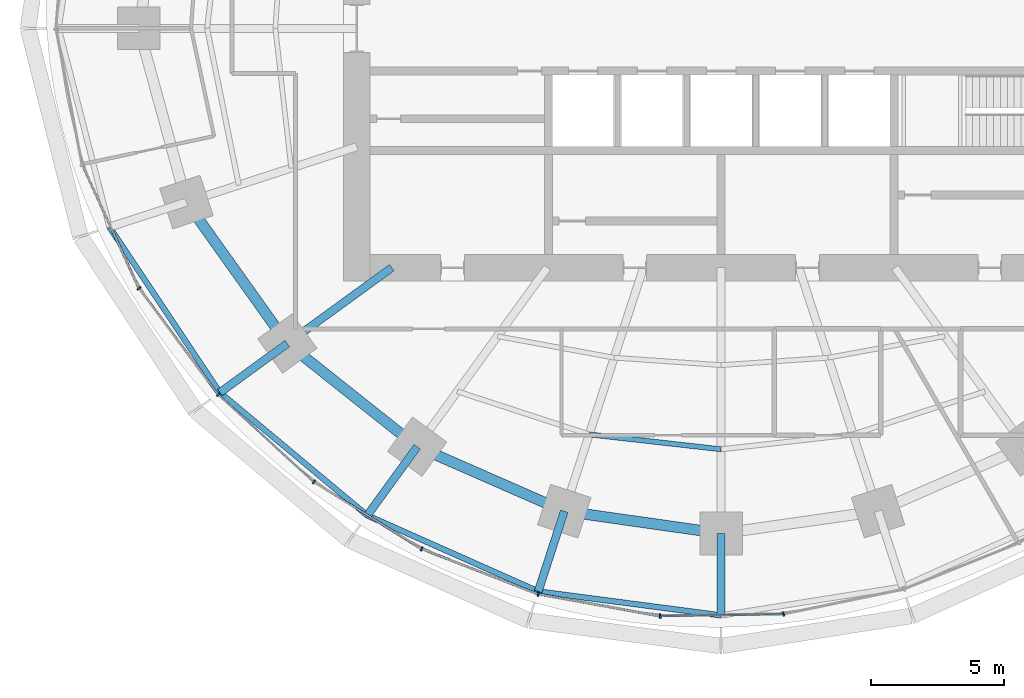
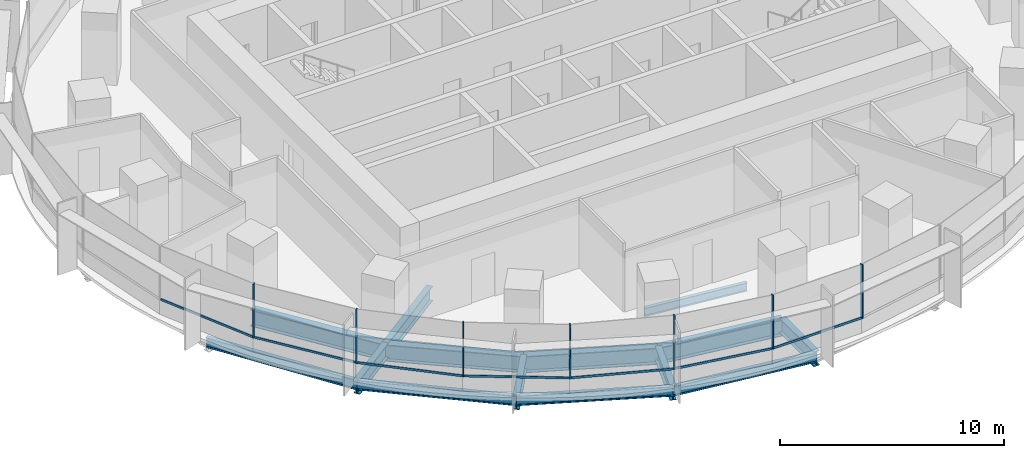
# One storey, part 2 of 14: 14 beams, 14 members, 2 elements without a shape of their own.
"""IFC4 building model written with IfcOpenShell, lengths in metres."""

import ifcopenshell
import ifcopenshell.guid

model = None  # the IFC model being written
_history = None  # IfcOwnerHistory: only IFC2X3 demands one
_inside = {}  # id of a spatial element -> (the spatial element, [elements in it])
_under = {}  # id of a project, library or spatial element -> (it, [spatial elements below it])
_declared = {}  # id of a project -> (the project, [libraries it declares])
_typed = {}  # id of a type object -> (the type object, [elements of that type])
_made_of = {}  # id of a material, layer set ... -> (it, [elements and type objects made of it])


def new_model(schema):
    """Start an empty IFC model of exactly this schema.

    Asked for "IFC4X3", IfcOpenShell would pick the latest addendum, in which some entities
    have other attributes; the version numbers below select the first issue.
    IFC2X3 requires an IfcOwnerHistory on every rooted entity: one is made here for all.
    """
    global model, _history
    if schema == "IFC4X3":
        model = ifcopenshell.file(schema_version=(4, 3, 0, 0))
    else:
        model = ifcopenshell.file(schema=schema)
    _inside.clear()
    _under.clear()
    _declared.clear()
    _typed.clear()
    _made_of.clear()
    _history = None
    if model.schema == "IFC2X3":
        org = make("IfcOrganization", Name="unknown")
        user = make(
            "IfcPersonAndOrganization",
            ThePerson=make("IfcPerson", FamilyName="unknown"),
            TheOrganization=org,
        )
        app = make(
            "IfcApplication",
            ApplicationDeveloper=org,
            Version="unknown",
            ApplicationFullName="unknown",
            ApplicationIdentifier="unknown",
        )
        _history = make(
            "IfcOwnerHistory",
            OwningUser=user,
            OwningApplication=app,
            ChangeAction="ADDED",
            CreationDate=0,
        )
    return model


def make(cls, **values):
    """One entity of the class cls with the attributes given. An attribute that is None is left unset."""
    return model.create_entity(
        cls, **{name: value for name, value in values.items() if value is not None}
    )


def rooted(cls, **values):
    """An entity with a GlobalId (a new one), such as an element, a storey or a relation."""
    return make(cls, GlobalId=ifcopenshell.guid.new(), OwnerHistory=_history, **values)


def si_unit(unit_type, name, prefix=None):
    """IfcSIUnit, for example si_unit("LENGTHUNIT", "METRE", prefix="MILLI")."""
    return make("IfcSIUnit", UnitType=unit_type, Prefix=prefix, Name=name)


def assignment(units):
    """IfcUnitAssignment: the units of a project."""
    return None if units is None else make("IfcUnitAssignment", Units=units)


def point(xyz):
    """IfcCartesianPoint."""
    return None if xyz is None else make("IfcCartesianPoint", Coordinates=xyz)


def direction(xyz):
    """IfcDirection."""
    return None if xyz is None else make("IfcDirection", DirectionRatios=xyz)


def frame(location, z_axis=None, x_axis=None):
    """IfcAxis2Placement3D, a coordinate frame: its origin and axes. An axis left out is left unset."""
    return make(
        "IfcAxis2Placement3D",
        Location=point(location),
        Axis=direction(z_axis),
        RefDirection=direction(x_axis),
    )


def frame_2d(location, x_axis=None):
    """IfcAxis2Placement2D, a coordinate frame in the plane: its origin and x axis."""
    return make(
        "IfcAxis2Placement2D", Location=point(location), RefDirection=direction(x_axis)
    )


def origin():
    """The frame at (0, 0, 0) with its axes left unset."""
    return frame((0.0, 0.0, 0.0))


def origin_2d():
    """The frame at (0, 0) in the plane with its x axis left unset."""
    return frame_2d((0.0, 0.0))


def place(relative_to, where):
    """IfcLocalPlacement: puts the frame where relative to a parent placement (None: the world)."""
    return make(
        "IfcLocalPlacement", PlacementRelTo=relative_to, RelativePlacement=where
    )


def context(
    kind, dimensions, precision=None, world=None, true_north=None, identifier=None
):
    """IfcGeometricRepresentationContext, for example the 3D "Model" context."""
    return make(
        "IfcGeometricRepresentationContext",
        ContextIdentifier=identifier,
        ContextType=kind,
        CoordinateSpaceDimension=dimensions,
        Precision=precision,
        WorldCoordinateSystem=world,
        TrueNorth=true_north,
    )


def subcontext(parent, identifier, kind, view, scale=None):
    """IfcGeometricRepresentationSubContext, for example "Body" below "Model"."""
    return make(
        "IfcGeometricRepresentationSubContext",
        ContextIdentifier=identifier,
        ContextType=kind,
        ParentContext=parent,
        TargetScale=scale,
        TargetView=view,
    )


def project(units=None, contexts=None):
    """IfcProject with its units and contexts."""
    return rooted(
        "IfcProject",
        Name="project",
        RepresentationContexts=contexts,
        UnitsInContext=assignment(units),
    )


def spatial(cls, under=None, at=None, **own):
    """A site, building, storey or space (cls), placed at a placement, below another one or the project."""
    s = rooted(cls, ObjectPlacement=at, **own)
    if under is not None:
        _under.setdefault(under.id(), (under, []))[1].append(s)
    return s


def profile(cls, at=None, kind="AREA", **sizes):
    """A parametric profile (cls). Its sizes go by their IFC names, for example OverallWidth=200.0."""
    return make(cls, ProfileType=kind, Position=at, **sizes)


def rectangle(**sizes):
    """IfcRectangleProfileDef."""
    return profile("IfcRectangleProfileDef", **sizes)


def i_section(**sizes):
    """IfcIShapeProfileDef."""
    return profile("IfcIShapeProfileDef", **sizes)


def extrude(swept, where, along, depth):
    """IfcExtrudedAreaSolid: the profile swept, set in the frame where, extruded along a direction by depth."""
    return make(
        "IfcExtrudedAreaSolid",
        SweptArea=swept,
        Position=where,
        ExtrudedDirection=direction(along),
        Depth=depth,
    )


def shape(context_of_items, identifier, shape_type, items):
    """IfcShapeRepresentation: the items that make up one representation, for example the "Body"."""
    return make(
        "IfcShapeRepresentation",
        ContextOfItems=context_of_items,
        RepresentationIdentifier=identifier,
        RepresentationType=shape_type,
        Items=items,
    )


def material(Name=None, Category=None):
    """IfcMaterial."""
    return make("IfcMaterial", Name=Name, Category=Category)


def material_profile(
    of_material, cross_section, Name=None, Category=None, Priority=None
):
    """IfcMaterialProfile: a cross section and its material."""
    return make(
        "IfcMaterialProfile",
        Name=Name,
        Material=of_material,
        Profile=cross_section,
        Priority=Priority,
        Category=Category,
    )


def profile_set(profiles, Name=None, composite=None):
    """IfcMaterialProfileSet."""
    return make(
        "IfcMaterialProfileSet",
        Name=Name,
        MaterialProfiles=profiles,
        CompositeProfile=composite,
    )


def made_of(thing, what):
    """Note that an element or type object is made of a material, layer set ...; save() writes the relation."""
    if what is not None:
        _made_of.setdefault(what.id(), (what, []))[1].append(thing)
    return thing


def type_object(cls, material=None, **own):
    """A type object (cls), such as IfcWallType, which elements share."""
    return made_of(rooted(cls, **own), material)


def element(
    cls,
    number,
    at=None,
    inside=None,
    cuts=None,
    type_object=None,
    material=None,
    context=None,
    identifier="Body",
    shape_type=None,
    held_by="IfcProductDefinitionShape",
    body=None,
    shapes=None,
    **own,
):
    """One element of the class cls, such as IfcWall. Its Tag is "e" and its number.

    at: its placement. inside: the storey or other place that contains it. cuts: it is an
    opening in that element (IfcRelVoidsElement). A single representation is given by context,
    identifier, shape_type and body (its items); several are given by shapes. held_by: the class
    of the entity that holds the representations. save() writes the other relations.
    """
    e = rooted(cls, Tag="e%d" % number, ObjectPlacement=at, **own)
    if body is not None:
        shapes = [shape(context, identifier, shape_type, body)]
    if shapes is not None:
        e.Representation = make(held_by, Representations=shapes)
    if inside is not None:
        _inside.setdefault(inside.id(), (inside, []))[1].append(e)
    if cuts is not None:
        rooted(
            "IfcRelVoidsElement", RelatingBuildingElement=cuts, RelatedOpeningElement=e
        )
    if type_object is not None:
        _typed.setdefault(type_object.id(), (type_object, []))[1].append(e)
    return made_of(e, material)


def aggregate(whole, parts):
    """IfcRelAggregates: a whole, such as a stair, and the parts it consists of."""
    return rooted("IfcRelAggregates", RelatingObject=whole, RelatedObjects=parts)


def save(model, path):
    """Write the relations noted so far, then the file.

    IfcRelAggregates (storeys below a building ...), IfcRelContainedInSpatialStructure (elements
    in a storey), IfcRelDefinesByType, IfcRelAssociatesMaterial and IfcRelDeclares: one each for
    every whole, place, type object, material and project.
    """
    for whole, parts in _under.values():
        aggregate(whole, parts)
    for where, things in _inside.values():
        rooted(
            "IfcRelContainedInSpatialStructure",
            RelatedElements=things,
            RelatingStructure=where,
        )
    for kind, things in _typed.values():
        rooted("IfcRelDefinesByType", RelatedObjects=things, RelatingType=kind)
    for what, things in _made_of.values():
        rooted("IfcRelAssociatesMaterial", RelatedObjects=things, RelatingMaterial=what)
    for by, libraries in _declared.values():
        rooted("IfcRelDeclares", RelatingContext=by, RelatedDefinitions=libraries)
    model.write(path)


model = new_model("IFC4")

# Units and contexts
model_context = context("Model", 3, precision=1e-05, world=origin(), true_north=direction((0.0, 1.0)))
body_context = subcontext(model_context, "Body", "Model", "MODEL_VIEW")
ifc_project = project(units=[si_unit("LENGTHUNIT", "METRE"), si_unit("AREAUNIT", "SQUARE_METRE"), si_unit("VOLUMEUNIT", "CUBIC_METRE"), si_unit("PLANEANGLEUNIT", "RADIAN"), si_unit("MASSUNIT", "GRAM", prefix="KILO")], contexts=[model_context])

# Site, building, storey
site_placement = place(None, origin())
site = spatial("IfcSite", under=ifc_project, at=site_placement, CompositionType="ELEMENT")
building_placement = place(site_placement, origin())
building = spatial("IfcBuilding", under=site, at=building_placement, Name="Marramba Exchange Tower", CompositionType="ELEMENT")
storey_placement = place(building_placement, frame((0.0, 0.0, 147.0)))
storey = spatial("IfcBuildingStorey", under=building, at=storey_placement, Name="L35", CompositionType="ELEMENT", Elevation=147.0)

# Beams
ifc_material_1 = material(Name="Steel AS/NZS 3679.2 grade 300", Category="steel")
ifc_material_profile_1 = material_profile(ifc_material_1, i_section(OverallWidth=0.300048828125, OverallDepth=0.800048828125, WebThickness=0.013916015625, FlangeThickness=0.031982421875, at=origin_2d()), Name="800WB192")
ifc_profile_set_1 = profile_set([ifc_material_profile_1], Name="Steel AS/NZS 3679.2 grade 300")
beam_type_1 = type_object("IfcBeamType", Name="Cantilever girder 800WB192", PredefinedType="BEAM", material=ifc_profile_set_1)
beam_1_placement = place(storey_placement, frame((-16.3154296875, -11.853759765625, -0.56005859375), z_axis=(-0.809025813822, -0.587773113173, 0.0), x_axis=(0.587773113173, -0.809025813822, 0.0)))
element("IfcBeam", 1, at=beam_1_placement, inside=storey, type_object=beam_type_1, Name="Cantilever girder L35 TC13", PredefinedType="BEAM", context=body_context, shape_type="SweptSolid", body=[
    extrude(i_section(OverallWidth=0.300048828125, OverallDepth=0.800048828125, WebThickness=0.013916015625, FlangeThickness=0.031982421875, at=origin_2d()), origin(), (0.0, 0.0, 1.0), 3.132568359375),
])
beam_2_placement = place(storey_placement, frame((-11.430419921875, -15.732666015625, -0.56005859375), z_axis=(-0.587767308424, -0.809030031054, 0.0), x_axis=(0.809030031054, -0.587767308424, 0.0)))
element("IfcBeam", 2, at=beam_2_placement, inside=storey, type_object=beam_type_1, Name="Cantilever girder L35 TC14", PredefinedType="BEAM", context=body_context, shape_type="SweptSolid", body=[
    extrude(i_section(OverallWidth=0.300048828125, OverallDepth=0.800048828125, WebThickness=0.013916015625, FlangeThickness=0.031982421875, at=origin_2d()), origin(), (0.0, 0.0, 1.0), 3.195556640625),
])
beam_3_placement = place(storey_placement, frame((-5.899658203125, -18.156982421875, -0.56005859375), z_axis=(-0.309018232614, -0.951056113966, 0.0), x_axis=(0.951056113966, -0.309018232614, 0.0)))
element("IfcBeam", 3, at=beam_3_placement, inside=storey, type_object=beam_type_1, Name="Cantilever girder L35 TC15", PredefinedType="BEAM", context=body_context, shape_type="SweptSolid", body=[
    extrude(i_section(OverallWidth=0.300048828125, OverallDepth=0.800048828125, WebThickness=0.013916015625, FlangeThickness=0.031982421875, at=origin_2d()), origin(), (0.0, 0.0, 1.0), 3.173583984375),
])
beam_4_placement = place(storey_placement, frame((0.0, -18.99609375, -0.56005859375), z_axis=(0.0, -1.0, 0.0), x_axis=(1.0, 0.0, 0.0)))
element("IfcBeam", 4, at=beam_4_placement, inside=storey, type_object=beam_type_1, Name="Cantilever girder L35 TC16", PredefinedType="BEAM", context=body_context, shape_type="SweptSolid", body=[
    extrude(i_section(OverallWidth=0.300048828125, OverallDepth=0.800048828125, WebThickness=0.013916015625, FlangeThickness=0.031982421875, at=origin_2d()), origin(), (0.0, 0.0, 1.0), 3.080810546875),
])
ifc_material_2 = material(Name="Steel AS/NZS 3679.1 grade 300", Category="steel")
ifc_material_profile_2 = material_profile(ifc_material_2, i_section(OverallWidth=0.18994140625, OverallDepth=0.4541015625, WebThickness=0.008544921875, FlangeThickness=0.0126953125, FilletRadius=0.011474609375, at=origin_2d()), Name="460UB67.1")
ifc_profile_set_2 = profile_set([ifc_material_profile_2], Name="Steel AS/NZS 3679.1 grade 300")
beam_type_2 = type_object("IfcBeamType", Name="Floor joist 460UB67.1", PredefinedType="JOIST", material=ifc_profile_set_2)
beam_5_placement = place(storey_placement, frame((-4.9619140625, -15.271484375, -0.386962890625), z_axis=(0.993712018573, -0.111966174106, 0.0), x_axis=(0.111966174106, 0.993712018573, 0.0)))
element("IfcBeam", 5, at=beam_5_placement, inside=storey, type_object=beam_type_2, Name="Joist L35 bay 15 row 2", PredefinedType="JOIST", context=body_context, shape_type="SweptSolid", body=[
    extrude(i_section(OverallWidth=0.18994140625, OverallDepth=0.4541015625, WebThickness=0.008544921875, FlangeThickness=0.0126953125, FilletRadius=0.011474609375, at=origin_2d()), origin(), (0.0, 0.0, 1.0), 4.993408203125),
])

# Curtain wall, members
ifc_material_3 = material(Name="Aluminium framing, bronze anodised", Category="aluminium")
curtain_wall_type = type_object("IfcCurtainWallType", Name="Office ribbon curtain wall", PredefinedType="USERDEFINED", material=ifc_material_3)
curtain_wall_1_placement = place(storey_placement, origin())
curtain_wall_1 = element("IfcCurtainWall", 6, at=curtain_wall_1_placement, inside=storey, type_object=curtain_wall_type, Name="Curtain wall CW4 L35 F16-F20", ObjectType="RIBBON CURTAIN WALL", PredefinedType="USERDEFINED")
ifc_material_4 = material(Name="Aluminium mullion, bronze anodised", Category="aluminium")
ifc_material_profile_3 = material_profile(ifc_material_4, rectangle(XDim=0.159912109375, YDim=0.06005859375, at=origin_2d()), Name="CW4 mullion 60x160")
ifc_profile_set_3 = profile_set([ifc_material_profile_3], Name="Aluminium mullion, bronze anodised")
member_type_1 = type_object("IfcMemberType", Name="Office ribbon curtain wall mullion", PredefinedType="MULLION", material=ifc_profile_set_3)
member_1_placement = place(storey_placement, frame((-21.891357421875, -9.778564453125, 0.800048828125), z_axis=(0.0, 0.0, 1.0), x_axis=(0.802014400683, 0.597304697033, 0.0)))
member_1 = element("IfcMember", 7, at=member_1_placement, type_object=member_type_1, Name="CW4 mullion 1", PredefinedType="MULLION", context=body_context, shape_type="SweptSolid", body=[
    extrude(rectangle(XDim=0.159912109375, YDim=0.06005859375, at=origin_2d()), origin(), (0.0, 0.0, 1.0), 2.93994140625),
])
member_2_placement = place(storey_placement, frame((-18.90869140625, -13.774169921875, 0.800048828125), z_axis=(0.0, 0.0, 1.0), x_axis=(0.674995455115, 0.737821886077, 0.0)))
member_2 = element("IfcMember", 8, at=member_2_placement, type_object=member_type_1, Name="CW4 mullion 1", PredefinedType="MULLION", context=body_context, shape_type="SweptSolid", body=[
    extrude(rectangle(XDim=0.159912109375, YDim=0.06005859375, at=origin_2d()), origin(), (0.0, 0.0, 1.0), 2.93994140625),
])
member_3_placement = place(storey_placement, frame((-15.315673828125, -17.053955078125, 0.800048828125), z_axis=(0.0, 0.0, 1.0), x_axis=(0.52942844364, 0.84835459748, 0.0)))
member_3 = element("IfcMember", 9, at=member_3_placement, type_object=member_type_1, Name="CW4 mullion 1", PredefinedType="MULLION", context=body_context, shape_type="SweptSolid", body=[
    extrude(rectangle(XDim=0.159912109375, YDim=0.06005859375, at=origin_2d()), origin(), (0.0, 0.0, 1.0), 2.93994140625),
])

curtain_wall_2_placement = place(storey_placement, origin())
curtain_wall_2 = element("IfcCurtainWall", 10, at=curtain_wall_2_placement, inside=storey, type_object=curtain_wall_type, Name="Curtain wall CW4 L35 F21-F25", ObjectType="RIBBON CURTAIN WALL", PredefinedType="USERDEFINED")
member_4_placement = place(storey_placement, frame((-11.266845703125, -19.573974609375, 0.800048828125), z_axis=(0.0, 0.0, 1.0), x_axis=(0.36292490603, 0.931818390344, 0.0)))
member_4 = element("IfcMember", 11, at=member_4_placement, type_object=member_type_1, Name="CW4 mullion 1", PredefinedType="MULLION", context=body_context, shape_type="SweptSolid", body=[
    extrude(rectangle(XDim=0.159912109375, YDim=0.06005859375, at=origin_2d()), origin(), (0.0, 0.0, 1.0), 2.93994140625),
])
member_5_placement = place(storey_placement, frame((-6.881591796875, -21.27587890625, 0.800048828125), z_axis=(0.0, 0.0, 1.0), x_axis=(0.177992379115, 0.984031865834, 0.0)))
member_5 = element("IfcMember", 12, at=member_5_placement, type_object=member_type_1, Name="CW4 mullion 1", PredefinedType="MULLION", context=body_context, shape_type="SweptSolid", body=[
    extrude(rectangle(XDim=0.159912109375, YDim=0.06005859375, at=origin_2d()), origin(), (0.0, 0.0, 1.0), 2.93994140625),
])
member_6_placement = place(storey_placement, frame((-2.292724609375, -22.099853515625, 0.800048828125), z_axis=(0.0, 0.0, 1.0), x_axis=(-0.015178646521, 0.999884797709, 0.0)))
member_6 = element("IfcMember", 13, at=member_6_placement, type_object=member_type_1, Name="CW4 mullion 1", PredefinedType="MULLION", context=body_context, shape_type="SweptSolid", body=[
    extrude(rectangle(XDim=0.159912109375, YDim=0.06005859375, at=origin_2d()), origin(), (0.0, 0.0, 1.0), 2.93994140625),
])
member_7_placement = place(storey_placement, frame((2.3447265625, -22.02392578125, 0.800048828125), z_axis=(0.0, 0.0, 1.0), x_axis=(-0.202364850159, 0.979310199794, 0.0)))
member_7 = element("IfcMember", 14, at=member_7_placement, type_object=member_type_1, Name="CW4 mullion 1", PredefinedType="MULLION", context=body_context, shape_type="SweptSolid", body=[
    extrude(rectangle(XDim=0.159912109375, YDim=0.06005859375, at=origin_2d()), origin(), (0.0, 0.0, 1.0), 2.93994140625),
])

# Member
ifc_material_5 = material(Name="Aluminium transom, bronze anodised", Category="aluminium")
ifc_material_profile_4 = material_profile(ifc_material_5, rectangle(XDim=0.06005859375, YDim=0.1201171875, at=origin_2d()), Name="CW4 transom 60x120")
ifc_profile_set_4 = profile_set([ifc_material_profile_4], Name="Aluminium transom, bronze anodised")
member_type_2 = type_object("IfcMemberType", Name="Office ribbon curtain wall transom", PredefinedType="USERDEFINED", material=ifc_profile_set_4)
member_8_placement = place(storey_placement, frame((-24.013671875, -5.1640625, 0.830078125), z_axis=(0.416732948599, -0.909028959688, 0.0), x_axis=(0.909028959688, 0.416732948599, 0.0)))
member_8 = element("IfcMember", 15, at=member_8_placement, type_object=member_type_2, Name="CW4 sill transom", ObjectType="TRANSOM", PredefinedType="USERDEFINED", context=body_context, shape_type="SweptSolid", body=[
    extrude(rectangle(XDim=0.06005859375, YDim=0.1201171875, at=origin_2d()), origin(), (0.0, 0.0, 1.0), 5.050048828125),
])

member_9_placement = place(storey_placement, frame((-21.873291015625, -9.802734375, 0.830078125), z_axis=(0.597300736643, -0.80201735019, 0.0), x_axis=(0.80201735019, 0.597300736643, 0.0)))
member_9 = element("IfcMember", 16, at=member_9_placement, type_object=member_type_2, Name="CW4 sill transom", ObjectType="TRANSOM", PredefinedType="USERDEFINED", context=body_context, shape_type="SweptSolid", body=[
    extrude(rectangle(XDim=0.06005859375, YDim=0.1201171875, at=origin_2d()), origin(), (0.0, 0.0, 1.0), 4.926513671875),
])

member_10_placement = place(storey_placement, frame((-18.886474609375, -13.79443359375, 0.830078125), z_axis=(0.737807565469, -0.675011108306, 0.0), x_axis=(0.675011108306, 0.737807565469, 0.0)))
member_10 = element("IfcMember", 17, at=member_10_placement, type_object=member_type_2, Name="CW4 sill transom", ObjectType="TRANSOM", PredefinedType="USERDEFINED", context=body_context, shape_type="SweptSolid", body=[
    extrude(rectangle(XDim=0.06005859375, YDim=0.1201171875, at=origin_2d()), origin(), (0.0, 0.0, 1.0), 4.805419921875),
])

member_11_placement = place(storey_placement, frame((-15.2900390625, -17.06982421875, 0.830078125), z_axis=(0.848373790728, -0.529397687193, 0.0), x_axis=(0.529397687193, 0.848373790728, 0.0)))
member_11 = element("IfcMember", 18, at=member_11_placement, type_object=member_type_2, Name="CW4 sill transom", ObjectType="TRANSOM", PredefinedType="USERDEFINED", context=body_context, shape_type="SweptSolid", body=[
    extrude(rectangle(XDim=0.06005859375, YDim=0.1201171875, at=origin_2d()), origin(), (0.0, 0.0, 1.0), 4.70947265625),
])

aggregate(curtain_wall_1, [member_8, member_1, member_9, member_2, member_10, member_3, member_11])

member_12_placement = place(storey_placement, frame((-11.23876953125, -19.5849609375, 0.830078125), z_axis=(0.931817106708, -0.362928201778, 0.0), x_axis=(0.362928201778, 0.931817106708, 0.0)))
member_12 = element("IfcMember", 19, at=member_12_placement, type_object=member_type_2, Name="CW4 sill transom", ObjectType="TRANSOM", PredefinedType="USERDEFINED", context=body_context, shape_type="SweptSolid", body=[
    extrude(rectangle(XDim=0.06005859375, YDim=0.1201171875, at=origin_2d()), origin(), (0.0, 0.0, 1.0), 4.644287109375),
])

member_13_placement = place(storey_placement, frame((-6.85205078125, -21.281005859375, 0.830078125), z_axis=(0.98402906811, -0.178007845654, 0.0), x_axis=(0.178007845654, 0.98402906811, 0.0)))
member_13 = element("IfcMember", 20, at=member_13_placement, type_object=member_type_2, Name="CW4 sill transom", ObjectType="TRANSOM", PredefinedType="USERDEFINED", context=body_context, shape_type="SweptSolid", body=[
    extrude(rectangle(XDim=0.06005859375, YDim=0.1201171875, at=origin_2d()), origin(), (0.0, 0.0, 1.0), 4.602783203125),
])

member_14_placement = place(storey_placement, frame((-2.262939453125, -22.099365234375, 0.830078125), z_axis=(0.999885345665, 0.015142507235, 0.0), x_axis=(-0.015142507235, 0.999885345665, 0.0)))
member_14 = element("IfcMember", 21, at=member_14_placement, type_object=member_type_2, Name="CW4 sill transom", ObjectType="TRANSOM", PredefinedType="USERDEFINED", context=body_context, shape_type="SweptSolid", body=[
    extrude(rectangle(XDim=0.06005859375, YDim=0.1201171875, at=origin_2d()), origin(), (0.0, 0.0, 1.0), 4.578857421875),
])

aggregate(curtain_wall_2, [member_4, member_12, member_5, member_13, member_6, member_14, member_7])

# Beams
ifc_material_profile_5 = material_profile(ifc_material_1, i_section(OverallWidth=0.300048828125, OverallDepth=0.800048828125, WebThickness=0.013916015625, FlangeThickness=0.031982421875, at=origin_2d()), Name="800WB192")
ifc_profile_set_5 = profile_set([ifc_material_profile_5], Name="Steel AS/NZS 3679.2 grade 300")
beam_type_3 = type_object("IfcBeamType", Name="Radial girder 800WB192", PredefinedType="BEAM", material=ifc_profile_set_5)
beam_6_placement = place(storey_placement, frame((-12.387451171875, -9.0, -0.56005859375), z_axis=(-0.809025189606, -0.58777397236, 0.0), x_axis=(0.58777397236, -0.809025189606, 0.0)))
element("IfcBeam", 22, at=beam_6_placement, inside=storey, type_object=beam_type_3, Name="Radial girder L35 TC13", PredefinedType="BEAM", context=body_context, shape_type="SweptSolid", body=[
    extrude(i_section(OverallWidth=0.300048828125, OverallDepth=0.800048828125, WebThickness=0.013916015625, FlangeThickness=0.031982421875, at=origin_2d()), origin(), (0.0, 0.0, 1.0), 4.855224609375),
])
ifc_material_profile_6 = material_profile(ifc_material_1, i_section(OverallWidth=0.39990234375, OverallDepth=0.89990234375, WebThickness=0.01611328125, FlangeThickness=0.031982421875, at=origin_2d()), Name="900WB282")
ifc_profile_set_6 = profile_set([ifc_material_profile_6], Name="Steel AS/NZS 3679.2 grade 300")
beam_type_4 = type_object("IfcBeamType", Name="Ring beam 900WB282", PredefinedType="SPANDREL", material=ifc_profile_set_6)
beam_7_placement = place(storey_placement, frame((-20.109375, -6.533935546875, -0.610107421875), z_axis=(0.580637181111, -0.814162430914, 0.0), x_axis=(0.814162430914, 0.580637181111, 0.0)))
element("IfcBeam", 23, at=beam_7_placement, inside=storey, type_object=beam_type_4, Name="Ring beam L35 TC12-TC13", PredefinedType="SPANDREL", context=body_context, shape_type="SweptSolid", body=[
    extrude(i_section(OverallWidth=0.39990234375, OverallDepth=0.89990234375, WebThickness=0.01611328125, FlangeThickness=0.031982421875, at=origin_2d()), origin(), (0.0, 0.0, 1.0), 6.5341796875),
])
beam_8_placement = place(storey_placement, frame((-16.3154296875, -11.853759765625, -0.610107421875), z_axis=(0.783139438128, -0.621846138887, 0.0), x_axis=(0.621846138887, 0.783139438128, 0.0)))
element("IfcBeam", 24, at=beam_8_placement, inside=storey, type_object=beam_type_4, Name="Ring beam L35 TC13-TC14", PredefinedType="SPANDREL", context=body_context, shape_type="SweptSolid", body=[
    extrude(i_section(OverallWidth=0.39990234375, OverallDepth=0.89990234375, WebThickness=0.01611328125, FlangeThickness=0.031982421875, at=origin_2d()), origin(), (0.0, 0.0, 1.0), 6.23779296875),
])
beam_9_placement = place(storey_placement, frame((-11.430419921875, -15.732666015625, -0.610107421875), z_axis=(0.915876892158, -0.4014592363, 0.0), x_axis=(0.4014592363, 0.915876892158, 0.0)))
element("IfcBeam", 25, at=beam_9_placement, inside=storey, type_object=beam_type_4, Name="Ring beam L35 TC14-TC15", PredefinedType="SPANDREL", context=body_context, shape_type="SweptSolid", body=[
    extrude(i_section(OverallWidth=0.39990234375, OverallDepth=0.89990234375, WebThickness=0.01611328125, FlangeThickness=0.031982421875, at=origin_2d()), origin(), (0.0, 0.0, 1.0), 6.038818359375),
])
beam_10_placement = place(storey_placement, frame((-5.899658203125, -18.156982421875, -0.610107421875), z_axis=(0.990036163016, -0.140813337152, 0.0), x_axis=(0.140813337152, 0.990036163016, 0.0)))
element("IfcBeam", 26, at=beam_10_placement, inside=storey, type_object=beam_type_4, Name="Ring beam L35 TC15-TC16", PredefinedType="SPANDREL", context=body_context, shape_type="SweptSolid", body=[
    extrude(i_section(OverallWidth=0.39990234375, OverallDepth=0.89990234375, WebThickness=0.01611328125, FlangeThickness=0.031982421875, at=origin_2d()), origin(), (0.0, 0.0, 1.0), 5.958984375),
])
ifc_material_profile_7 = material_profile(ifc_material_2, i_section(OverallWidth=0.208984375, OverallDepth=0.528076171875, WebThickness=0.009521484375, FlangeThickness=0.01318359375, FilletRadius=0.013916015625, at=origin_2d()), Name="530UB82.0")
ifc_profile_set_7 = profile_set([ifc_material_profile_7], Name="Steel AS/NZS 3679.1 grade 300")
beam_type_5 = type_object("IfcBeamType", Name="Slab edge beam 530UB82.0", PredefinedType="SPANDREL", material=ifc_profile_set_7)
beam_11_placement = place(storey_placement, frame((-23.00341796875, -7.47412109375, -0.424072265625), z_axis=(0.555280023791, -0.831663450669, 0.0), x_axis=(0.831663450669, 0.555280023791, 0.0)))
element("IfcBeam", 27, at=beam_11_placement, inside=storey, type_object=beam_type_5, Name="Slab edge beam L35 TC12-TC13", PredefinedType="SPANDREL", context=body_context, shape_type="SweptSolid", body=[
    extrude(i_section(OverallWidth=0.208984375, OverallDepth=0.528076171875, WebThickness=0.009521484375, FlangeThickness=0.01318359375, FilletRadius=0.013916015625, at=origin_2d()), origin(), (0.0, 0.0, 1.0), 7.480224609375),
])
beam_12_placement = place(storey_placement, frame((-18.849853515625, -13.695068359375, -0.424072265625), z_axis=(0.767874532322, -0.640600267415, 0.0), x_axis=(0.640600267415, 0.767874532322, 0.0)))
element("IfcBeam", 28, at=beam_12_placement, inside=storey, type_object=beam_type_5, Name="Slab edge beam L35 TC13-TC14", PredefinedType="SPANDREL", context=body_context, shape_type="SweptSolid", body=[
    extrude(i_section(OverallWidth=0.208984375, OverallDepth=0.528076171875, WebThickness=0.009521484375, FlangeThickness=0.01318359375, FilletRadius=0.013916015625, at=origin_2d()), origin(), (0.0, 0.0, 1.0), 7.21630859375),
])
beam_13_placement = place(storey_placement, frame((-13.30859375, -18.31787109375, -0.424072265625), z_axis=(0.913788648873, -0.406189986571, 0.0), x_axis=(0.406189986571, 0.913788648873, 0.0)))
element("IfcBeam", 29, at=beam_13_placement, inside=storey, type_object=beam_type_5, Name="Slab edge beam L35 TC14-TC15", PredefinedType="SPANDREL", context=body_context, shape_type="SweptSolid", body=[
    extrude(i_section(OverallWidth=0.208984375, OverallDepth=0.528076171875, WebThickness=0.009521484375, FlangeThickness=0.01318359375, FilletRadius=0.013916015625, at=origin_2d()), origin(), (0.0, 0.0, 1.0), 7.03466796875),
])
beam_14_placement = place(storey_placement, frame((-6.88037109375, -21.17529296875, -0.424072265625), z_axis=(0.991523133546, -0.129930272237, 0.0), x_axis=(0.129930272237, 0.991523133546, 0.0)))
element("IfcBeam", 30, at=beam_14_placement, inside=storey, type_object=beam_type_5, Name="Slab edge beam L35 TC15-TC16", PredefinedType="SPANDREL", context=body_context, shape_type="SweptSolid", body=[
    extrude(i_section(OverallWidth=0.208984375, OverallDepth=0.528076171875, WebThickness=0.009521484375, FlangeThickness=0.01318359375, FilletRadius=0.013916015625, at=origin_2d()), origin(), (0.0, 0.0, 1.0), 6.939208984375),
])

save(model, "model.ifc")
